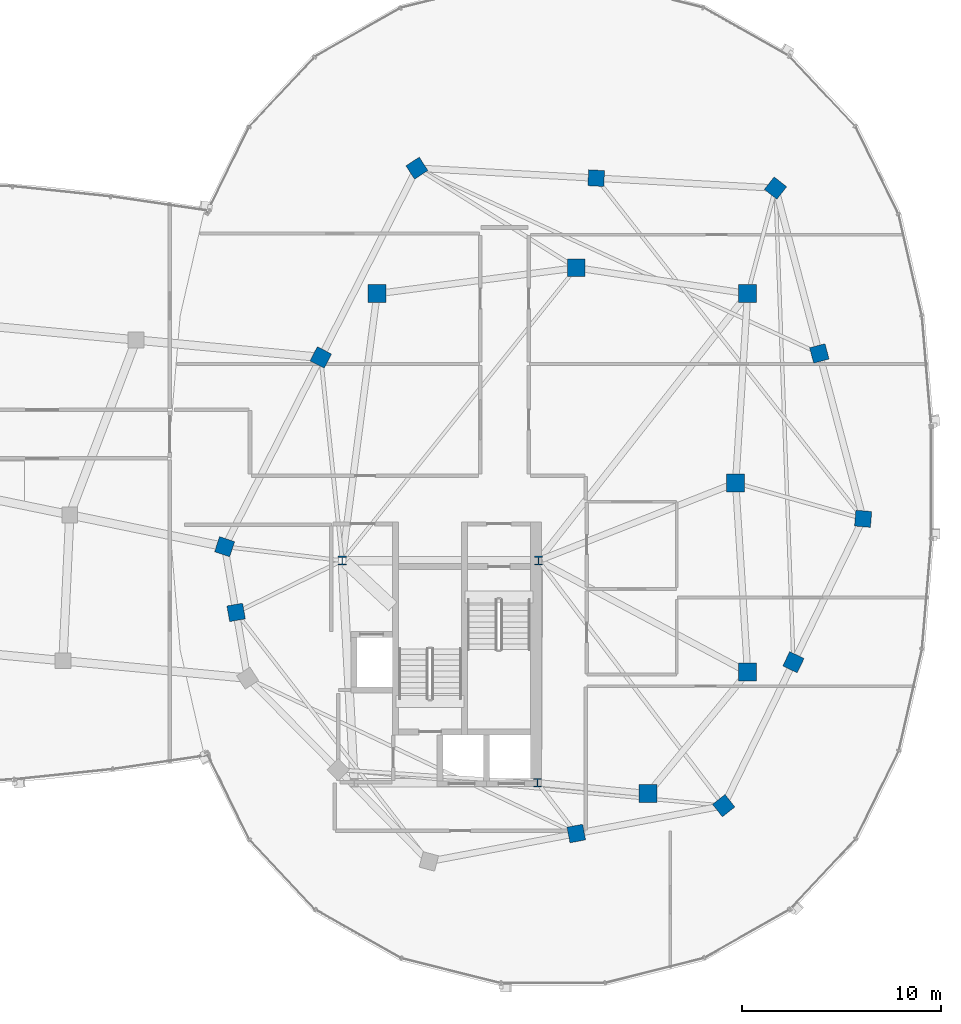
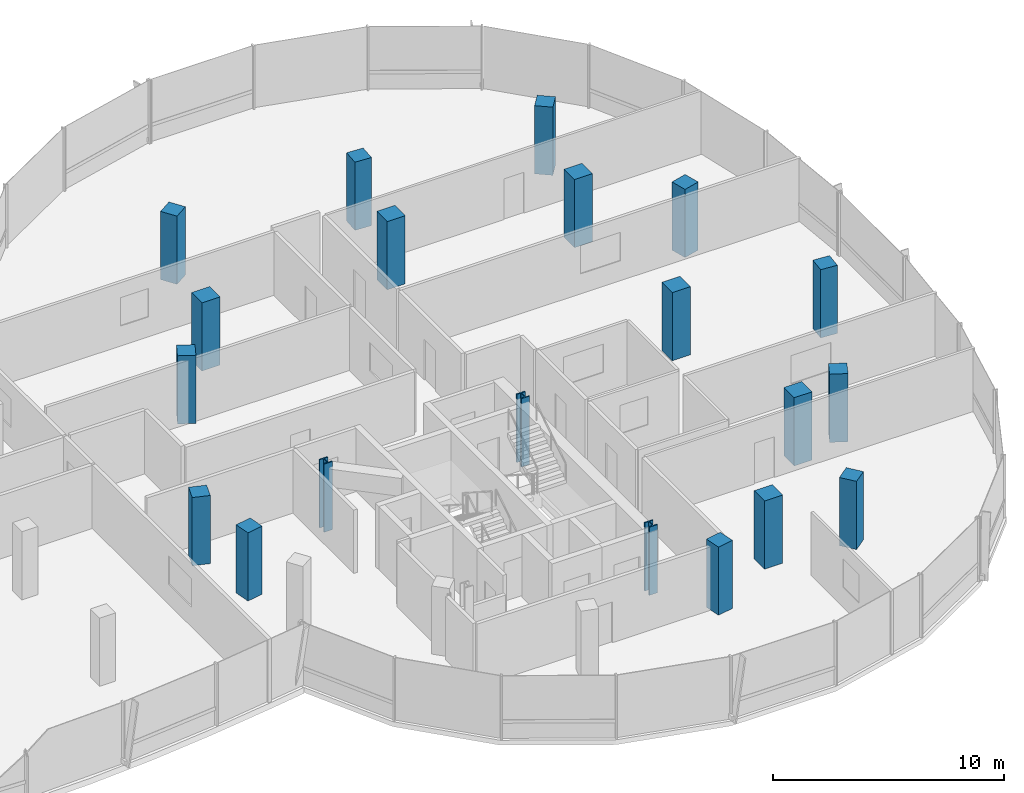
# One storey, part 2 of 26: 20 columns.
"""IFC4 building model written with IfcOpenShell, lengths in metres."""

from ifc_helpers import new_model, si_unit, direction, frame, origin, origin_2d, place, context, subcontext, project, spatial, rectangle, i_section, extrude, material, material_profile, profile_set, type_object, element, save


model = new_model("IFC4")

# Units and contexts
model_context = context("Model", 3, precision=1e-05, world=origin(), true_north=direction((0.0, 1.0)))
body_context = subcontext(model_context, "Body", "Model", "MODEL_VIEW")
ifc_project = project(units=[si_unit("LENGTHUNIT", "METRE"), si_unit("AREAUNIT", "SQUARE_METRE"), si_unit("VOLUMEUNIT", "CUBIC_METRE"), si_unit("PLANEANGLEUNIT", "RADIAN"), si_unit("MASSUNIT", "GRAM", prefix="KILO"), si_unit("THERMODYNAMICTEMPERATUREUNIT", "KELVIN"), si_unit("POWERUNIT", "WATT")], contexts=[model_context])

# Site, building, storey
site_placement = place(None, origin())
site = spatial("IfcSite", under=ifc_project, at=site_placement, CompositionType="ELEMENT")
building_placement = place(site_placement, origin())
building = spatial("IfcBuilding", under=site, at=building_placement, Name="Cundina Bronze Exchange", CompositionType="ELEMENT")
storey_placement = place(building_placement, frame((0.0, 0.0, 243.199951171875)))
storey = spatial("IfcBuildingStorey", under=building, at=storey_placement, Name="L64", CompositionType="ELEMENT", Elevation=243.199951171875)

# Columns
ifc_material_1 = material(Name="Concrete C50/60", Category="concrete")
ifc_material_profile_1 = material_profile(ifc_material_1, rectangle(XDim=0.800048828125, YDim=0.800048828125, at=origin_2d()), Name="RC800X800", Category="concrete")
ifc_profile_set_1 = profile_set([ifc_material_profile_1], Name="Concrete C50/60")
column_type_1 = type_object("IfcColumnType", Name="COL-BRG-800", PredefinedType="COLUMN", material=ifc_profile_set_1)
for number, where, z_axis, x_axis, name in (
    (1, (15.550048828125, -3.199951171875, 0.0), (0.0, 0.0, 1.0), (-0.315152163383, -0.949041155016, 0.0), "L64 E Perimeter Column 00"),
    (2, (16.125, -6.5, 0.0), (0.0, 0.0, 1.0), (0.171585221787, -0.985169280715, 0.0), "L64 E Perimeter Column 01"),
    (3, (33.199951171875, -17.60009765625, 0.0), (0.0, 0.0, 1.0), (0.98258037664, 0.185838110843, 0.0), "L64 E Perimeter Column 05"),
    (4, (40.60009765625, -16.199951171875, 0.0), (0.0, 0.0, 1.0), (0.785100778485, 0.619368038909, 0.0), "L64 E Perimeter Column 06"),
    (5, (44.10009765625, -9.0, 0.0), (0.0, 0.0, 1.0), (0.437115766651, 0.899405251566, 0.0), "L64 E Perimeter Column 07"),
    (6, (47.60009765625, -1.800048828125, 0.0), (0.0, 0.0, 1.0), (0.083503921245, 0.996507448611, 0.0), "L64 E Perimeter Column 08"),
    (7, (45.39990234375, 6.5, 0.0), (0.0, 0.0, 1.0), (-0.256289373133, 0.966600102017, 0.0), "L64 E Perimeter Column 09"),
    (8, (43.199951171875, 14.800048828125, 0.0), (0.0, 0.0, 1.0), (-0.786288432137, 0.61785961309, 0.0), "L64 E Perimeter Column 10"),
    (9, (34.199951171875, 15.300048828125, 0.0), (0.0, 0.0, 1.0), (-0.998460188734, 0.055472980025, 0.0), "L64 E Perimeter Column 11"),
    (10, (25.199951171875, 15.800048828125, 0.0), (0.0, 0.0, 1.0), (-0.838099763533, -0.545516989988, 0.0), "L64 E Perimeter Column 12"),
    (11, (20.375, 6.300048828125, 0.0), (0.0, 0.0, 1.0), (-0.452901591366, -0.891560513111, 0.0), "L64 E Perimeter Column 13"),
):
    element("IfcColumn", number, at=place(storey_placement, frame(where, z_axis=z_axis, x_axis=x_axis)), inside=storey, type_object=column_type_1, Name=name, PredefinedType="COLUMN", context=body_context, shape_type="SweptSolid", body=[
        extrude(rectangle(XDim=0.800048828125, YDim=0.800048828125, at=origin_2d()), origin(), (0.0, 0.0, 1.0), 3.60009765625),
    ])
ifc_material_2 = material(Name="Steel ASTM A992 Grade 50", Category="steel")
ifc_material_profile_2 = material_profile(ifc_material_2, i_section(OverallWidth=0.416015625, OverallDepth=0.446044921875, WebThickness=0.0390625, FlangeThickness=0.062744140625, FilletRadius=0.01806640625, at=origin_2d()), Name="W14X342", Category="steel")
ifc_profile_set_2 = profile_set([ifc_material_profile_2], Name="Steel ASTM A992 Grade 50")
column_type_2 = type_object("IfcColumnType", Name="COL-STL-W14B", PredefinedType="COLUMN", material=ifc_profile_set_2)
for number, where, z_axis, x_axis, name in (
    (12, (31.300048828125, -3.89990234375, 0.0), (0.0, 0.0, 1.0), (1.0, 0.0, 0.0), "L64 Core Anchor Column E1"),
    (13, (21.449951171875, -3.89990234375, 0.0), (0.0, 0.0, 1.0), (1.0, 0.0, 0.0), "L64 Core Anchor Column E2"),
    (14, (31.25, -15.050048828125, 0.0), (0.0, 0.0, 1.0), (1.0, 0.0, 0.0), "L64 Core Anchor Column E4"),
):
    element("IfcColumn", number, at=place(storey_placement, frame(where, z_axis=z_axis, x_axis=x_axis)), inside=storey, type_object=column_type_2, Name=name, PredefinedType="COLUMN", context=body_context, shape_type="SweptSolid", body=[
        extrude(i_section(OverallWidth=0.416015625, OverallDepth=0.446044921875, WebThickness=0.0390625, FlangeThickness=0.062744140625, FilletRadius=0.01806640625, at=origin_2d()), origin(), (0.0, 0.0, 1.0), 3.60009765625),
    ])
ifc_material_profile_3 = material_profile(ifc_material_1, rectangle(XDim=0.89990234375, YDim=0.89990234375, at=origin_2d()), Name="RC900X900", Category="concrete")
ifc_profile_set_3 = profile_set([ifc_material_profile_3], Name="Concrete C50/60")
column_type_3 = type_object("IfcColumnType", Name="COL-Z4-900", PredefinedType="COLUMN", material=ifc_profile_set_3)
for number, where, z_axis, x_axis, name in (
    (15, (41.199951171875, 0.0, 0.0), (0.0, 0.0, 1.0), (1.0, 0.0, 0.0), "L64 E Inner Ring Column 1"),
    (16, (41.800048828125, -9.5, 0.0), (0.0, 0.0, 1.0), (1.0, 0.0, 0.0), "L64 E Inner Ring Column 2"),
    (17, (36.800048828125, -15.60009765625, 0.0), (0.0, 0.0, 1.0), (1.0, 0.0, 0.0), "L64 E Inner Ring Column 3"),
    (18, (41.800048828125, 9.5, 0.0), (0.0, 0.0, 1.0), (1.0, 0.0, 0.0), "L64 E Inner Ring Column 4"),
    (19, (33.199951171875, 10.800048828125, 0.0), (0.0, 0.0, 1.0), (1.0, 0.0, 0.0), "L64 E Inner Ring Column 5"),
    (20, (23.199951171875, 9.5, 0.0), (0.0, 0.0, 1.0), (1.0, 0.0, 0.0), "L64 E Inner Ring Column 6"),
):
    element("IfcColumn", number, at=place(storey_placement, frame(where, z_axis=z_axis, x_axis=x_axis)), inside=storey, type_object=column_type_3, Name=name, PredefinedType="COLUMN", context=body_context, shape_type="SweptSolid", body=[
        extrude(rectangle(XDim=0.89990234375, YDim=0.89990234375, at=origin_2d()), origin(), (0.0, 0.0, 1.0), 3.60009765625),
    ])

save(model, "model.ifc")
